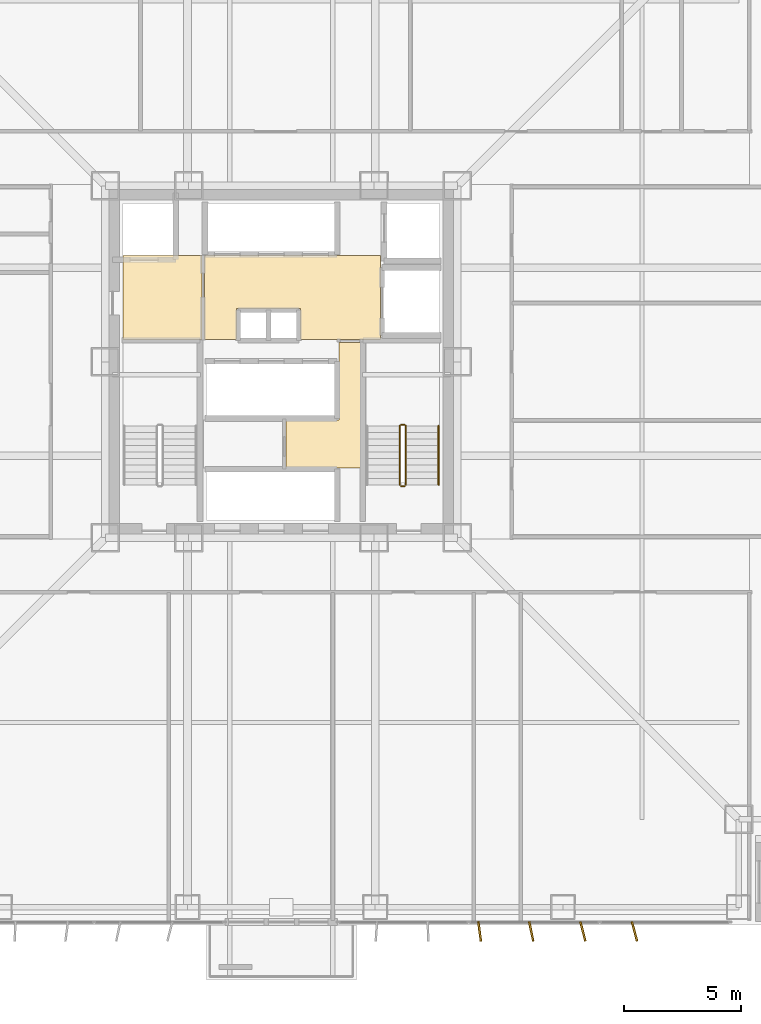
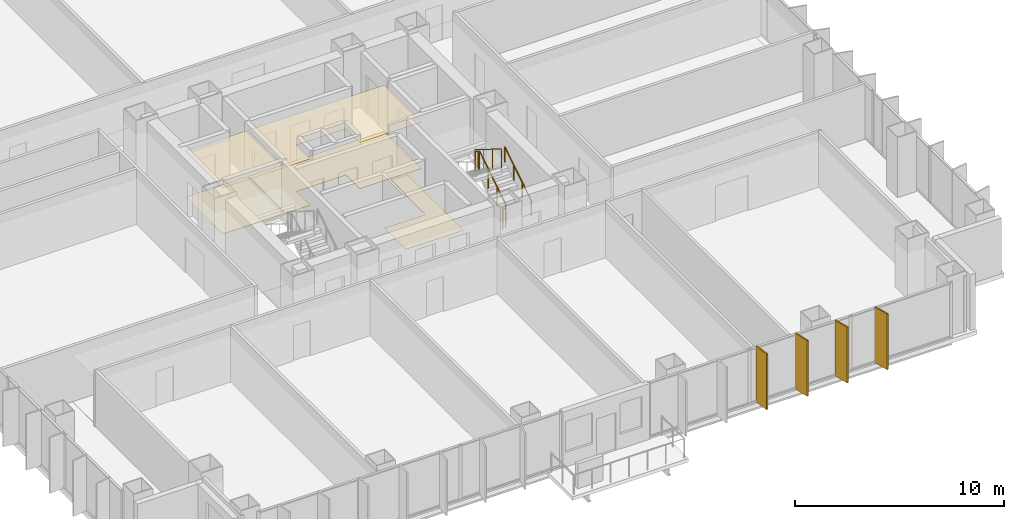
# One storey, part 20 of 21: 5 coverings, 5 railings, 4 shading devices.
"""IFC4 building model written with IfcOpenShell, lengths in metres."""

from ifc_helpers import new_model, si_unit, direction, frame, origin, origin_2d, place, context, subcontext, project, spatial, polyline, rectangle, circle, outline, extrude, material, layer, layer_set, type_object, element, save


model = new_model("IFC4")

# Units and contexts
model_context = context("Model", 3, precision=1e-05, world=origin(), true_north=direction((0.0, 1.0)))
body_context = subcontext(model_context, "Body", "Model", "MODEL_VIEW")
ifc_project = project(units=[si_unit("LENGTHUNIT", "METRE"), si_unit("AREAUNIT", "SQUARE_METRE"), si_unit("VOLUMEUNIT", "CUBIC_METRE"), si_unit("PLANEANGLEUNIT", "RADIAN"), si_unit("MASSUNIT", "GRAM", prefix="KILO")], contexts=[model_context])

# Site, building, storey
site_placement = place(None, origin())
site = spatial("IfcSite", under=ifc_project, at=site_placement, CompositionType="ELEMENT")
building_placement = place(site_placement, origin())
building = spatial("IfcBuilding", under=site, at=building_placement, Name="Trevonay Congress Spire", CompositionType="ELEMENT")
storey_placement = place(building_placement, frame((0.0, 0.0, 37.5)))
storey = spatial("IfcBuildingStorey", under=building, at=storey_placement, Name="L08", CompositionType="ELEMENT", Elevation=37.5)

# Coverings
ifc_material_1 = material(Name="Acoustic Mineral Fibre Board", Category="gypsum")
ifc_layer_1 = layer(ifc_material_1, 0.02490234375, Name="Acoustic Mineral Fibre Board")
ifc_layer_set_1 = layer_set([ifc_layer_1], Name="Acoustic Mineral Fibre Board")
covering_type_1 = type_object("IfcCoveringType", Name="COV-CEIL-ACOUSTIC", PredefinedType="CEILING", material=ifc_layer_set_1)
covering_1_placement = place(storey_placement, frame((0.0, 0.0, 2.699951171875)))
element("IfcCovering", 1, at=covering_1_placement, inside=storey, type_object=covering_type_1, Name="L08 Firefighting Lift Lobby West acoustic suspended ceiling", PredefinedType="CEILING", context=body_context, shape_type="SweptSolid", body=[
    extrude(outline(polyline([(-6.75, 0.9599609375), (-3.3798828125, 0.9599609375), (-3.3798828125, 4.52001953125), (-6.75, 4.52001953125), (-6.75, 0.9599609375)])), origin(), (0.0, 0.0, 1.0), 0.025146484375),
])
covering_2_placement = place(storey_placement, frame((0.0, 0.0, 2.699951171875)))
element("IfcCovering", 2, at=covering_2_placement, inside=storey, type_object=covering_type_1, Name="L08 Central and High-Rise Passenger Lift Lobby acoustic suspended ceiling", PredefinedType="CEILING", context=body_context, shape_type="SweptSolid", body=[
    extrude(outline(polyline([(-3.280029296875, 0.949951171875), (-1.919921875, 0.949951171875), (-1.919921875, 2.280029296875), (0.820068359375, 2.280029296875), (0.820068359375, 0.949951171875), (4.219970703125, 0.949951171875), (4.219970703125, 4.52001953125), (-3.280029296875, 4.52001953125), (-3.280029296875, 0.949951171875)])), origin(), (0.0, 0.0, 1.0), 0.025146484375),
])
ifc_material_2 = material(Name="Polished Granite Floor Tile", Category="masonry")
ifc_layer_2 = layer(ifc_material_2, 0.02001953125, Name="Polished Granite Floor Tile")
ifc_layer_set_2 = layer_set([ifc_layer_2], Name="Polished Granite Floor Tile")
covering_type_2 = type_object("IfcCoveringType", Name="COV-FLOOR-STONE", PredefinedType="FLOORING", material=ifc_layer_set_2)
covering_3_placement = place(storey_placement, origin())
element("IfcCovering", 3, at=covering_3_placement, inside=storey, type_object=covering_type_2, Name="L08 Firefighting Lift Lobby West floor finish", PredefinedType="FLOORING", context=body_context, shape_type="SweptSolid", body=[
    extrude(outline(polyline([(-6.75, 0.9599609375), (-3.3798828125, 0.9599609375), (-3.3798828125, 4.52001953125), (-6.75, 4.52001953125), (-6.75, 0.9599609375)])), origin(), (0.0, 0.0, 1.0), 0.02001953125),
])
covering_4_placement = place(storey_placement, origin())
element("IfcCovering", 4, at=covering_4_placement, inside=storey, type_object=covering_type_2, Name="L08 Central and High-Rise Passenger Lift Lobby floor finish", PredefinedType="FLOORING", context=body_context, shape_type="SweptSolid", body=[
    extrude(outline(polyline([(-3.280029296875, 0.949951171875), (-1.919921875, 0.949951171875), (-1.919921875, 2.280029296875), (0.820068359375, 2.280029296875), (0.820068359375, 0.949951171875), (4.219970703125, 0.949951171875), (4.219970703125, 4.52001953125), (-3.280029296875, 4.52001953125), (-3.280029296875, 0.949951171875)])), origin(), (0.0, 0.0, 1.0), 0.02001953125),
])
covering_5_placement = place(storey_placement, origin())
element("IfcCovering", 5, at=covering_5_placement, inside=storey, type_object=covering_type_2, Name="L08 BMS Control Room floor finish", PredefinedType="FLOORING", context=body_context, shape_type="SweptSolid", body=[
    extrude(outline(polyline([(0.199951171875, -4.52001953125), (3.3798828125, -4.52001953125), (3.3798828125, 0.820068359375), (2.4599609375, 0.820068359375), (2.4599609375, -2.47998046875), (0.199951171875, -2.47998046875), (0.199951171875, -4.52001953125)])), origin(), (0.0, 0.0, 1.0), 0.02001953125),
])

# Railings
ifc_material_3 = material(Name="Pale Anodised Aluminium EN AW-6063-T6", Category="aluminium")
railing_type_1 = type_object("IfcRailingType", Name="RAL-STAIR-GUARD-110", PredefinedType="GUARDRAIL", material=ifc_material_3)
railing_1_placement = place(storey_placement, frame((5.300048828125, -5.25, 0.175048828125)))
element("IfcRailing", 6, at=railing_1_placement, inside=storey, type_object=railing_type_1, Name="L08 ST-2 stair guard 1", PredefinedType="GUARDRAIL", context=body_context, shape_type="SweptSolid", body=[
    extrude(circle(Radius=0.02392578125, at=origin_2d()), frame((0.0, 0.0, 1.1259765625), z_axis=(0.0, 0.848007534815, 0.529984170421), x_axis=(-1.0, 0.0, 0.0)), (0.0, 0.0, 1.0), 2.9716796875),
    extrude(circle(Radius=0.02099609375, at=origin_2d()), origin(), (0.0, 0.0, 1.0), 1.101806640625),
    extrude(circle(Radius=0.02099609375, at=origin_2d()), frame((0.0, 0.840087890625, 0.52490234375)), (0.0, 0.0, 1.0), 1.101806640625),
    extrude(circle(Radius=0.02099609375, at=origin_2d()), frame((0.0, 1.679931640625, 1.050048828125)), (0.0, 0.0, 1.0), 1.101806640625),
    extrude(circle(Radius=0.02099609375, at=origin_2d()), frame((0.0, 2.52001953125, 1.574951171875)), (0.0, 0.0, 1.0), 1.101806640625),
])
railing_2_placement = place(storey_placement, frame((5.25, -2.679931640625, 1.75)))
element("IfcRailing", 7, at=railing_2_placement, inside=storey, type_object=railing_type_1, Name="L08 ST-2 stair guard 2", PredefinedType="GUARDRAIL", context=body_context, shape_type="SweptSolid", body=[
    extrude(circle(Radius=0.02392578125, at=origin_2d()), frame((0.0, 0.0, 1.1259765625), z_axis=(-1.0, 0.0, 0.0), x_axis=(0.0, -1.0, 0.0)), (0.0, 0.0, 1.0), 0.14990234375),
    extrude(circle(Radius=0.02099609375, at=origin_2d()), origin(), (0.0, 0.0, 1.0), 1.101806640625),
    extrude(circle(Radius=0.02099609375, at=origin_2d()), frame((-0.14990234375, 0.0, 0.0)), (0.0, 0.0, 1.0), 1.101806640625),
])
railing_3_placement = place(storey_placement, frame((5.050048828125, -2.72998046875, 1.925048828125)))
element("IfcRailing", 8, at=railing_3_placement, inside=storey, type_object=railing_type_1, Name="L08 ST-2 stair guard 3", PredefinedType="GUARDRAIL", context=body_context, shape_type="SweptSolid", body=[
    extrude(circle(Radius=0.02392578125, at=origin_2d()), frame((0.0, 0.0, 1.1259765625), z_axis=(0.0, -0.848007534815, 0.529984170421), x_axis=(1.0, 0.0, 0.0)), (0.0, 0.0, 1.0), 2.9716796875),
    extrude(circle(Radius=0.02099609375, at=origin_2d()), origin(), (0.0, 0.0, 1.0), 1.101806640625),
    extrude(circle(Radius=0.02099609375, at=origin_2d()), frame((0.0, -0.840087890625, 0.52490234375)), (0.0, 0.0, 1.0), 1.101806640625),
    extrude(circle(Radius=0.02099609375, at=origin_2d()), frame((0.0, -1.679931640625, 1.050048828125)), (0.0, 0.0, 1.0), 1.101806640625),
    extrude(circle(Radius=0.02099609375, at=origin_2d()), frame((0.0, -2.52001953125, 1.574951171875)), (0.0, 0.0, 1.0), 1.101806640625),
])
railing_4_placement = place(storey_placement, frame((5.25, -5.300048828125, 0.0)))
element("IfcRailing", 9, at=railing_4_placement, inside=storey, type_object=railing_type_1, Name="L08 ST-2 stair guard 4", PredefinedType="GUARDRAIL", context=body_context, shape_type="SweptSolid", body=[
    extrude(circle(Radius=0.02392578125, at=origin_2d()), frame((0.0, 0.0, 1.1259765625), z_axis=(-1.0, 0.0, 0.0), x_axis=(0.0, -1.0, 0.0)), (0.0, 0.0, 1.0), 0.14990234375),
    extrude(circle(Radius=0.02099609375, at=origin_2d()), origin(), (0.0, 0.0, 1.0), 1.101806640625),
    extrude(circle(Radius=0.02099609375, at=origin_2d()), frame((-0.14990234375, 0.0, 0.0)), (0.0, 0.0, 1.0), 1.101806640625),
])
railing_type_2 = type_object("IfcRailingType", Name="RAL-STAIR-HANDRAIL", PredefinedType="HANDRAIL", material=ifc_material_3)
railing_5_placement = place(storey_placement, frame((6.699951171875, -5.25, 0.175048828125)))
element("IfcRailing", 10, at=railing_5_placement, inside=storey, type_object=railing_type_2, Name="L08 ST-2 stair handrail 1", PredefinedType="HANDRAIL", context=body_context, shape_type="SweptSolid", body=[
    extrude(circle(Radius=0.02392578125, at=origin_2d()), frame((0.0, 0.0, 0.8759765625), z_axis=(0.0, 0.848007534815, 0.529984170421), x_axis=(-1.0, 0.0, 0.0)), (0.0, 0.0, 1.0), 2.9716796875),
    extrude(circle(Radius=0.02099609375, at=origin_2d()), origin(), (0.0, 0.0, 1.0), 0.851806640625),
    extrude(circle(Radius=0.02099609375, at=origin_2d()), frame((0.0, 0.840087890625, 0.52490234375)), (0.0, 0.0, 1.0), 0.851806640625),
    extrude(circle(Radius=0.02099609375, at=origin_2d()), frame((0.0, 1.679931640625, 1.050048828125)), (0.0, 0.0, 1.0), 0.851806640625),
    extrude(circle(Radius=0.02099609375, at=origin_2d()), frame((0.0, 2.52001953125, 1.574951171875)), (0.0, 0.0, 1.0), 0.851806640625),
])

# Shading devices
shading_device_type = type_object("IfcShadingDeviceType", Name="SHD-FIN-Z1-PALE-METAL", PredefinedType="USERDEFINED", material=ifc_material_3)
for number, where, z_axis, x_axis, name in (
    (11, (8.449951171875, -24.280029296875, 0.0), (0.0, 0.0, 1.0), (0.991444861374, 0.13052619222, 0.0), "L08 S vertical pale-metal solar fin 13"),
    (12, (10.64990234375, -24.280029296875, 0.0), (0.0, 0.0, 1.0), (0.978508985102, 0.206204185397, 0.0), "L08 S vertical pale-metal solar fin 14"),
    (13, (12.85009765625, -24.280029296875, 0.0), (0.0, 0.0, 1.0), (0.968191325187, 0.250211026602, 0.0), "L08 S vertical pale-metal solar fin 15"),
    (14, (15.050048828125, -24.280029296875, 0.0), (0.0, 0.0, 1.0), (0.966510581262, 0.256626764599, 0.0), "L08 S vertical pale-metal solar fin 16"),
):
    element("IfcShadingDevice", number, at=place(storey_placement, frame(where, z_axis=z_axis, x_axis=x_axis)), inside=storey, type_object=shading_device_type, Name=name, ObjectType="SOLAR FIN", PredefinedType="USERDEFINED", context=body_context, shape_type="SweptSolid", body=[
        extrude(rectangle(XDim=0.080078125, YDim=0.85009765625, at=origin_2d()), origin(), (0.0, 0.0, 1.0), 3.25),
    ])

save(model, "model.ifc")
